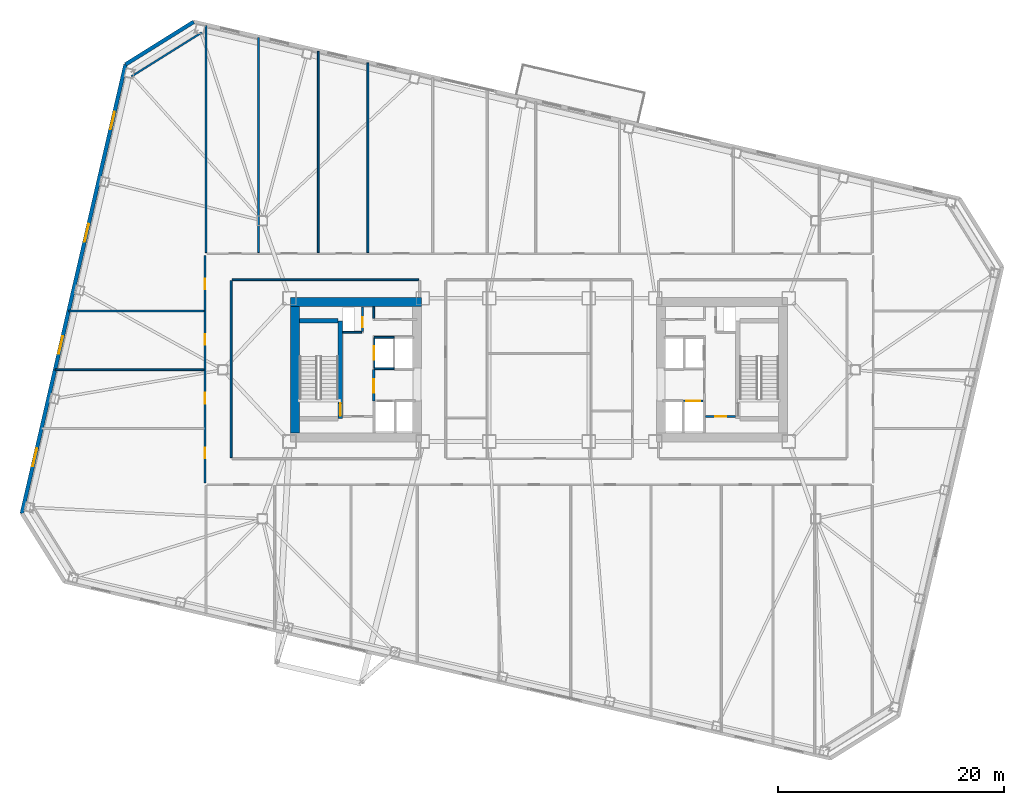
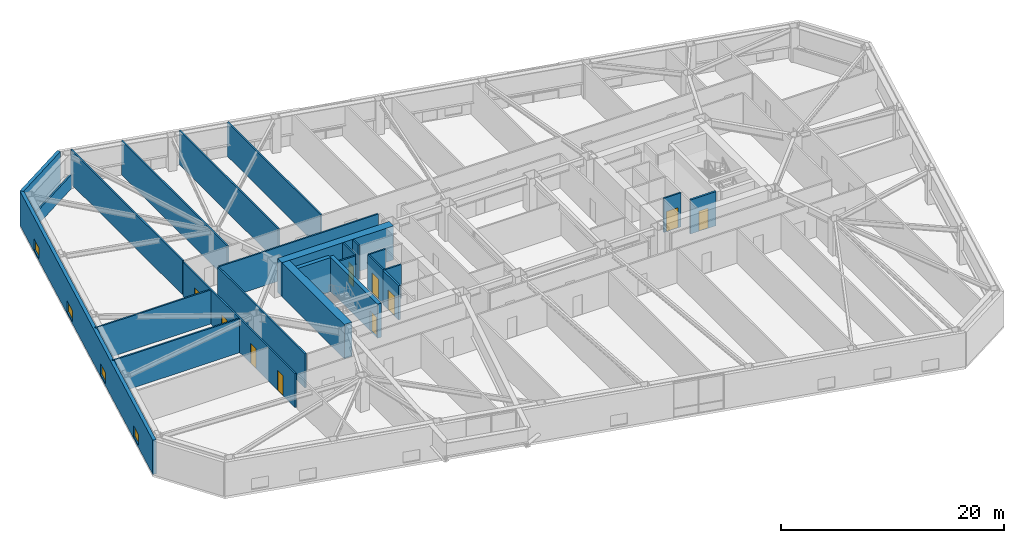
# One storey, part 11 of 20: 25 walls, 10 doors, 4 windows, 14 openings.
"""IFC4 building model written with IfcOpenShell, lengths in metres."""

from ifc_helpers import new_model, si_unit, direction, frame, frame_2d, origin, place, context, subcontext, project, spatial, rectangle, extrude, material, layer, layer_set, type_object, element, fill, save


model = new_model("IFC4")

# Units and contexts
model_context = context("Model", 3, precision=1e-05, world=origin(), true_north=direction((0.0, 1.0)))
body_context = subcontext(model_context, "Body", "Model", "MODEL_VIEW")
ifc_project = project(units=[si_unit("LENGTHUNIT", "METRE"), si_unit("AREAUNIT", "SQUARE_METRE"), si_unit("VOLUMEUNIT", "CUBIC_METRE"), si_unit("PLANEANGLEUNIT", "RADIAN"), si_unit("MASSUNIT", "GRAM", prefix="KILO")], contexts=[model_context])

# Site, building, storey
site_placement = place(None, origin())
site = spatial("IfcSite", under=ifc_project, at=site_placement, CompositionType="ELEMENT")
building_placement = place(site_placement, origin())
building = spatial("IfcBuilding", under=site, at=building_placement, Name="Tavrogorsk Clinical Tower", CompositionType="ELEMENT")
storey_placement = place(building_placement, frame((0.0, 0.0, 39.39990234375)))
storey = spatial("IfcBuildingStorey", under=building, at=storey_placement, Name="L07", CompositionType="ELEMENT", Elevation=39.39990234375)

# Wall, opening, door
ifc_material_1 = material(Name="Concrete B60", Category="concrete")
ifc_layer_1 = layer(ifc_material_1, 0.199951171875)
ifc_layer_set_1 = layer_set([ifc_layer_1], Name="Concrete B60")
wall_type_1 = type_object("IfcWallType", Name="CoreFireWall_200", PredefinedType="SOLIDWALL", material=ifc_layer_set_1)
wall_1_placement = place(storey_placement, frame((-14.639892578125, -2.780029296875, 0.0), z_axis=(0.0, 0.0, 1.0), x_axis=(0.0, 1.0, 0.0)))
wall_1 = element("IfcWall", 1, at=wall_1_placement, inside=storey, type_object=wall_type_1, Name="L07 Core West Firefighting Lobby Fire Wall", PredefinedType="SOLIDWALL", context=body_context, shape_type="SweptSolid", body=[
    extrude(rectangle(XDim=2.820068359375, YDim=0.199951171875, at=frame_2d((1.41015625, 0.0))), origin(), (0.0, 0.0, 1.0), 3.739990234375),
])
opening_1_placement = place(wall_1_placement, frame((0.72998046875, 0.0, 0.0)))
opening_1 = element("IfcOpeningElement", 2, at=opening_1_placement, cuts=wall_1, Name="Opening FD-01", PredefinedType="OPENING", context=body_context, shape_type="SweptSolid", body=[
    extrude(rectangle(XDim=1.199951171875, YDim=2.199951171875, at=frame_2d((0.60009765625, 1.10009765625))), frame((0.0, 0.10986328125, 0.0), z_axis=(0.0, -1.0, 0.0), x_axis=(1.0, 0.0, 0.0)), (0.0, 0.0, 1.0), 0.219970703125),
])
ifc_material_2 = material(Name="Galvanised steel fire-rated door assembly", Category="steel")
door_type_1 = type_object("IfcDoorType", Name="FireDoor_FD01_1200", OperationType="NOTDEFINED", PredefinedType="DOOR", material=ifc_material_2)
door_1_placement = place(opening_1_placement, origin())
door_1 = element("IfcDoor", 3, at=door_1_placement, inside=storey, type_object=door_type_1, Name="L07 Core West Firefighting Lobby Entry Door", OperationType="SINGLE_SWING_RIGHT", OverallHeight=2.199951171875, OverallWidth=1.199951171875, PredefinedType="DOOR", context=body_context, shape_type="SweptSolid", body=[
    extrude(rectangle(XDim=1.199951171875, YDim=2.199951171875, at=frame_2d((0.60009765625, 1.10009765625))), frame((0.0, 0.02490234375, 0.0), z_axis=(0.0, -1.0, 0.0), x_axis=(1.0, 0.0, 0.0)), (0.0, 0.0, 1.0), 0.050048828125),
])
fill(opening_1, door_1)

wall_2_placement = place(storey_placement, frame((14.719970703125, -4.139892578125, 0.0), z_axis=(0.0, 0.0, 1.0), x_axis=(1.0, 0.0, 0.0)))
wall_2 = element("IfcWall", 4, at=wall_2_placement, inside=storey, type_object=wall_type_1, Name="L07 Core East South Core Room Fire Wall", PredefinedType="SOLIDWALL", context=body_context, shape_type="SweptSolid", body=[
    extrude(rectangle(XDim=2.659912109375, YDim=0.199951171875, at=frame_2d((1.330078125, 0.0))), origin(), (0.0, 0.0, 1.0), 3.739990234375),
])
opening_2_placement = place(wall_2_placement, frame((0.8798828125, 0.0, 0.0)))
opening_2 = element("IfcOpeningElement", 5, at=opening_2_placement, cuts=wall_2, Name="Opening ID-02", PredefinedType="OPENING", context=body_context, shape_type="SweptSolid", body=[
    extrude(rectangle(XDim=0.949951171875, YDim=2.199951171875, at=frame_2d((0.47509765625, 1.10009765625))), frame((0.0, 0.10986328125, 0.0), z_axis=(0.0, -1.0, 0.0), x_axis=(1.0, 0.0, 0.0)), (0.0, 0.0, 1.0), 0.219970703125),
])
ifc_material_3 = material(Name="Laminated timber leaf on aluminium frame", Category="wood")
door_type_2 = type_object("IfcDoorType", Name="InteriorDoor_ID02_950", OperationType="NOTDEFINED", PredefinedType="DOOR", material=ifc_material_3)
door_2_placement = place(opening_2_placement, origin())
door_2 = element("IfcDoor", 6, at=door_2_placement, inside=storey, type_object=door_type_2, Name="L07 Core East South Core Room Door", OperationType="SINGLE_SWING_RIGHT", OverallHeight=2.199951171875, OverallWidth=0.949951171875, PredefinedType="DOOR", context=body_context, shape_type="SweptSolid", body=[
    extrude(rectangle(XDim=0.949951171875, YDim=2.199951171875, at=frame_2d((0.47509765625, 1.10009765625))), frame((0.0, 0.02490234375, 0.0), z_axis=(0.0, -1.0, 0.0), x_axis=(1.0, 0.0, 0.0)), (0.0, 0.0, 1.0), 0.050048828125),
])
fill(opening_2, door_2)

# Walls
ifc_material_4 = material(Name="Lightweight concrete blockwork B15", Category="masonry")
ifc_layer_2 = layer(ifc_material_4, 0.159912109375)
ifc_layer_set_2 = layer_set([ifc_layer_2], Name="Lightweight concrete blockwork B15")
wall_type_2 = type_object("IfcWallType", Name="PartitionWall_160", PredefinedType="PARTITIONING", material=ifc_layer_set_2)
wall_3_placement = place(storey_placement, frame((-14.639892578125, 4.544921875, 0.0), z_axis=(0.0, 0.0, 1.0), x_axis=(0.0, 1.0, 0.0)))
element("IfcWall", 7, at=wall_3_placement, inside=storey, type_object=wall_type_2, Name="L07 Core West Pneumatic Dispatch East Wall", PredefinedType="PARTITIONING", context=body_context, shape_type="SweptSolid", body=[
    extrude(rectangle(XDim=1.01513671875, YDim=0.159912109375, at=frame_2d((0.507568359375, 0.0))), origin(), (0.0, 0.0, 1.0), 3.739990234375),
])
wall_4_placement = place(storey_placement, frame((-29.859619140625, 29.8681640625, 0.0), z_axis=(0.0, 0.0, 1.0), x_axis=(-0.848043064089, -0.529927317139, 0.0)))
element("IfcWall", 8, at=wall_4_placement, inside=storey, type_object=wall_type_2, Name="L07 Corner Exoskeleton Brace Furring Wall 3", PredefinedType="PARTITIONING", context=body_context, shape_type="SweptSolid", body=[
    extrude(rectangle(XDim=7.353759765625, YDim=0.159912109375, at=frame_2d((3.6767578125, 0.0))), origin(), (0.0, 0.0, 1.0), 1.53515625),
])

# Wall, openings, doors
wall_5_placement = place(storey_placement, frame((-29.580078125, -10.014892578125, 0.0), z_axis=(0.0, 0.0, 1.0), x_axis=(0.0, 1.0, 0.0)))
wall_5 = element("IfcWall", 9, at=wall_5_placement, inside=storey, type_object=wall_type_2, Name="L07 Corridor Partition 01", PredefinedType="PARTITIONING", context=body_context, shape_type="SweptSolid", body=[
    extrude(rectangle(XDim=20.1298828125, YDim=0.159912109375, at=frame_2d((10.06494140625, 0.0))), origin(), (0.0, 0.0, 1.0), 3.739990234375),
])
opening_3_placement = place(wall_5_placement, frame((2.169189453125, 0.0, 0.0)))
opening_3 = element("IfcOpeningElement", 10, at=opening_3_placement, cuts=wall_5, Name="Opening ID-02", PredefinedType="OPENING", context=body_context, shape_type="SweptSolid", body=[
    extrude(rectangle(XDim=0.949951171875, YDim=2.199951171875, at=frame_2d((0.47509765625, 1.10009765625))), frame((0.0, 0.08984375, 0.0), z_axis=(0.0, -1.0, 0.0), x_axis=(1.0, 0.0, 0.0)), (0.0, 0.0, 1.0), 0.179931640625),
])
opening_4_placement = place(wall_5_placement, frame((7.02490234375, 0.0, 0.0)))
opening_4 = element("IfcOpeningElement", 11, at=opening_4_placement, cuts=wall_5, Name="Opening ID-02", PredefinedType="OPENING", context=body_context, shape_type="SweptSolid", body=[
    extrude(rectangle(XDim=0.949951171875, YDim=2.199951171875, at=frame_2d((0.47509765625, 1.10009765625))), frame((0.0, 0.08984375, 0.0), z_axis=(0.0, -1.0, 0.0), x_axis=(1.0, 0.0, 0.0)), (0.0, 0.0, 1.0), 0.179931640625),
])
opening_5_placement = place(wall_5_placement, frame((12.22509765625, 0.0, 0.0)))
opening_5 = element("IfcOpeningElement", 12, at=opening_5_placement, cuts=wall_5, Name="Opening ID-02", PredefinedType="OPENING", context=body_context, shape_type="SweptSolid", body=[
    extrude(rectangle(XDim=0.949951171875, YDim=2.199951171875, at=frame_2d((0.47509765625, 1.10009765625))), frame((0.0, 0.08984375, 0.0), z_axis=(0.0, -1.0, 0.0), x_axis=(1.0, 0.0, 0.0)), (0.0, 0.0, 1.0), 0.179931640625),
])
opening_6_placement = place(wall_5_placement, frame((17.130859375, 0.0, 0.0)))
opening_6 = element("IfcOpeningElement", 13, at=opening_6_placement, cuts=wall_5, Name="Opening ID-02", PredefinedType="OPENING", context=body_context, shape_type="SweptSolid", body=[
    extrude(rectangle(XDim=0.949951171875, YDim=2.199951171875, at=frame_2d((0.47509765625, 1.10009765625))), frame((0.0, 0.08984375, 0.0), z_axis=(0.0, -1.0, 0.0), x_axis=(1.0, 0.0, 0.0)), (0.0, 0.0, 1.0), 0.179931640625),
])
door_3_placement = place(opening_3_placement, origin())
door_3 = element("IfcDoor", 14, at=door_3_placement, inside=storey, type_object=door_type_2, Name="L07 W Solarium Day Room & Lounge 1 Door", OperationType="SINGLE_SWING_LEFT", OverallHeight=2.199951171875, OverallWidth=0.949951171875, PredefinedType="DOOR", context=body_context, shape_type="SweptSolid", body=[
    extrude(rectangle(XDim=0.949951171875, YDim=2.199951171875, at=frame_2d((0.47509765625, 1.10009765625))), frame((0.0, 0.02490234375, 0.0), z_axis=(0.0, -1.0, 0.0), x_axis=(1.0, 0.0, 0.0)), (0.0, 0.0, 1.0), 0.050048828125),
])
fill(opening_3, door_3)
door_4_placement = place(opening_4_placement, origin())
door_4 = element("IfcDoor", 15, at=door_4_placement, inside=storey, type_object=door_type_2, Name="L07 W Rehabilitation Therapy Suite 2 Door", OperationType="SINGLE_SWING_RIGHT", OverallHeight=2.199951171875, OverallWidth=0.949951171875, PredefinedType="DOOR", context=body_context, shape_type="SweptSolid", body=[
    extrude(rectangle(XDim=0.949951171875, YDim=2.199951171875, at=frame_2d((0.47509765625, 1.10009765625))), frame((0.0, 0.02490234375, 0.0), z_axis=(0.0, -1.0, 0.0), x_axis=(1.0, 0.0, 0.0)), (0.0, 0.0, 1.0), 0.050048828125),
])
fill(opening_4, door_4)
door_5_placement = place(opening_5_placement, origin())
door_5 = element("IfcDoor", 16, at=door_5_placement, inside=storey, type_object=door_type_2, Name="L07 W Sub-Acute Observation Suite 3 Door", OperationType="SINGLE_SWING_LEFT", OverallHeight=2.199951171875, OverallWidth=0.949951171875, PredefinedType="DOOR", context=body_context, shape_type="SweptSolid", body=[
    extrude(rectangle(XDim=0.949951171875, YDim=2.199951171875, at=frame_2d((0.47509765625, 1.10009765625))), frame((0.0, 0.02490234375, 0.0), z_axis=(0.0, -1.0, 0.0), x_axis=(1.0, 0.0, 0.0)), (0.0, 0.0, 1.0), 0.050048828125),
])
fill(opening_5, door_5)
door_6_placement = place(opening_6_placement, origin())
door_6 = element("IfcDoor", 17, at=door_6_placement, inside=storey, type_object=door_type_2, Name="L07 W Family Consultation Lounge 4 Door", OperationType="SINGLE_SWING_RIGHT", OverallHeight=2.199951171875, OverallWidth=0.949951171875, PredefinedType="DOOR", context=body_context, shape_type="SweptSolid", body=[
    extrude(rectangle(XDim=0.949951171875, YDim=2.199951171875, at=frame_2d((0.47509765625, 1.10009765625))), frame((0.0, 0.02490234375, 0.0), z_axis=(0.0, -1.0, 0.0), x_axis=(1.0, 0.0, 0.0)), (0.0, 0.0, 1.0), 0.050048828125),
])
fill(opening_6, door_6)

# Walls
wall_6_placement = place(storey_placement, frame((-10.6650390625, 7.969970703125, 0.0), z_axis=(0.0, 0.0, 1.0), x_axis=(-1.0, 0.0, 0.0)))
element("IfcWall", 18, at=wall_6_placement, inside=storey, type_object=wall_type_2, Name="L07 Corridor Partition 16", PredefinedType="PARTITIONING", context=body_context, shape_type="SweptSolid", body=[
    extrude(rectangle(XDim=16.52001953125, YDim=0.159912109375, at=frame_2d((8.260009765625, 0.0))), origin(), (0.0, 0.0, 1.0), 3.739990234375),
])
wall_7_placement = place(storey_placement, frame((-27.27001953125, 7.885009765625, 0.0), z_axis=(0.0, 0.0, 1.0), x_axis=(0.0, -1.0, 0.0)))
element("IfcWall", 19, at=wall_7_placement, inside=storey, type_object=wall_type_2, Name="L07 Corridor Partition 17", PredefinedType="PARTITIONING", context=body_context, shape_type="SweptSolid", body=[
    extrude(rectangle(XDim=15.669921875, YDim=0.159912109375, at=frame_2d((7.8349609375, 0.0))), origin(), (0.0, 0.0, 1.0), 3.739990234375),
])
wall_8_placement = place(storey_placement, frame((-29.5, 10.364990234375, 0.0), z_axis=(0.0, 0.0, 1.0), x_axis=(0.0, 1.0, 0.0)))
element("IfcWall", 20, at=wall_8_placement, inside=storey, type_object=wall_type_2, Name="L07 NW Wing Closure Partition", PredefinedType="PARTITIONING", context=body_context, shape_type="SweptSolid", body=[
    extrude(rectangle(XDim=20.11865234375, YDim=0.159912109375, at=frame_2d((10.059326171875, 0.0))), origin(), (0.0, 0.0, 1.0), 3.739990234375),
])
wall_9_placement = place(storey_placement, frame((-24.85009765625, 10.364990234375, 0.0), z_axis=(0.0, 0.0, 1.0), x_axis=(0.0, 1.0, 0.0)))
element("IfcWall", 21, at=wall_9_placement, inside=storey, type_object=wall_type_2, Name="L07 North Room Partition 1", PredefinedType="PARTITIONING", context=body_context, shape_type="SweptSolid", body=[
    extrude(rectangle(XDim=19.045166015625, YDim=0.159912109375, at=frame_2d((9.5224609375, 0.0))), origin(), (0.0, 0.0, 1.0), 3.739990234375),
])
wall_10_placement = place(storey_placement, frame((-15.159912109375, 10.364990234375, 0.0), z_axis=(0.0, 0.0, 1.0), x_axis=(0.0, 1.0, 0.0)))
element("IfcWall", 22, at=wall_10_placement, inside=storey, type_object=wall_type_2, Name="L07 North Room Partition 2", PredefinedType="PARTITIONING", context=body_context, shape_type="SweptSolid", body=[
    extrude(rectangle(XDim=16.80810546875, YDim=0.159912109375, at=frame_2d((8.404052734375, 0.0))), origin(), (0.0, 0.0, 1.0), 3.739990234375),
])
wall_11_placement = place(storey_placement, frame((-19.554931640625, 10.364990234375, 0.0), z_axis=(0.0, 0.0, 1.0), x_axis=(0.0, 1.0, 0.0)))
element("IfcWall", 23, at=wall_11_placement, inside=storey, type_object=wall_type_2, Name="L07 North Sub-Partition 2", PredefinedType="PARTITIONING", context=body_context, shape_type="SweptSolid", body=[
    extrude(rectangle(XDim=17.822509765625, YDim=0.159912109375, at=frame_2d((8.9111328125, 0.0))), origin(), (0.0, 0.0, 1.0), 3.739990234375),
])
wall_12_placement = place(storey_placement, frame((-42.841552734375, 0.0, 0.0), z_axis=(0.0, 0.0, 1.0), x_axis=(1.0, 0.0, 0.0)))
element("IfcWall", 24, at=wall_12_placement, inside=storey, type_object=wall_type_2, Name="L07 W Wing Divider 2", PredefinedType="PARTITIONING", context=body_context, shape_type="SweptSolid", body=[
    extrude(rectangle(XDim=13.176513671875, YDim=0.159912109375, at=frame_2d((6.58837890625, 0.0))), origin(), (0.0, 0.0, 1.0), 3.739990234375),
])
wall_13_placement = place(storey_placement, frame((-41.64111328125, 5.199951171875, 0.0), z_axis=(0.0, 0.0, 1.0), x_axis=(1.0, 0.0, 0.0)))
element("IfcWall", 25, at=wall_13_placement, inside=storey, type_object=wall_type_2, Name="L07 W Wing Divider 3", PredefinedType="PARTITIONING", context=body_context, shape_type="SweptSolid", body=[
    extrude(rectangle(XDim=11.97607421875, YDim=0.159912109375, at=frame_2d((5.988037109375, 0.0))), origin(), (0.0, 0.0, 1.0), 3.739990234375),
])

# Wall, openings, windows
ifc_material_5 = material(Name="Precast concrete B45 with limestone cladding", Category="masonry")
ifc_layer_3 = layer(ifc_material_5, 0.340087890625)
ifc_layer_set_3 = layer_set([ifc_layer_3], Name="Precast concrete B45 with limestone cladding")
wall_type_3 = type_object("IfcWallType", Name="PrecastLimestoneWall_340", PredefinedType="STANDARD", material=ifc_layer_set_3)
wall_14_placement = place(storey_placement, frame((-36.6201171875, 27.036865234375, 0.0), z_axis=(0.0, 0.0, 1.0), x_axis=(-0.224951280646, -0.974370012539, 0.0)))
wall_14 = element("IfcWall", 26, at=wall_14_placement, inside=storey, type_object=wall_type_3, Name="L07 W Pleated Limestone Wing Wall", PredefinedType="STANDARD", context=body_context, shape_type="SweptSolid", body=[
    extrude(rectangle(XDim=40.7998046875, YDim=0.340087890625, at=frame_2d((20.39990234375, 0.0))), origin(), (0.0, 0.0, 1.0), 3.739990234375),
])
opening_7_placement = place(wall_14_placement, frame((4.300048828125, 0.0, 0.219970703125)))
opening_7 = element("IfcOpeningElement", 27, at=opening_7_placement, cuts=wall_14, Name="Opening WN-09", PredefinedType="OPENING", context=body_context, shape_type="SweptSolid", body=[
    extrude(rectangle(XDim=1.60009765625, YDim=1.199951171875, at=frame_2d((0.800048828125, 0.60009765625))), frame((0.0, 0.179931640625, 0.0), z_axis=(0.0, -1.0, 0.0), x_axis=(1.0, 0.0, 0.0)), (0.0, 0.0, 1.0), 0.360107421875),
])
opening_8_placement = place(wall_14_placement, frame((14.5, 0.0, 0.219970703125)))
opening_8 = element("IfcOpeningElement", 28, at=opening_8_placement, cuts=wall_14, Name="Opening WN-09", PredefinedType="OPENING", context=body_context, shape_type="SweptSolid", body=[
    extrude(rectangle(XDim=1.60009765625, YDim=1.199951171875, at=frame_2d((0.800048828125, 0.60009765625))), frame((0.0, 0.179931640625, 0.0), z_axis=(0.0, -1.0, 0.0), x_axis=(1.0, 0.0, 0.0)), (0.0, 0.0, 1.0), 0.360107421875),
])
opening_9_placement = place(wall_14_placement, frame((24.699951171875, 0.0, 0.219970703125)))
opening_9 = element("IfcOpeningElement", 29, at=opening_9_placement, cuts=wall_14, Name="Opening WN-09", PredefinedType="OPENING", context=body_context, shape_type="SweptSolid", body=[
    extrude(rectangle(XDim=1.60009765625, YDim=1.199951171875, at=frame_2d((0.800048828125, 0.60009765625))), frame((0.0, 0.179931640625, 0.0), z_axis=(0.0, -1.0, 0.0), x_axis=(1.0, 0.0, 0.0)), (0.0, 0.0, 1.0), 0.360107421875),
])
opening_10_placement = place(wall_14_placement, frame((34.89990234375, 0.0, 0.219970703125)))
opening_10 = element("IfcOpeningElement", 30, at=opening_10_placement, cuts=wall_14, Name="Opening WN-09", PredefinedType="OPENING", context=body_context, shape_type="SweptSolid", body=[
    extrude(rectangle(XDim=1.60009765625, YDim=1.199951171875, at=frame_2d((0.800048828125, 0.60009765625))), frame((0.0, 0.179931640625, 0.0), z_axis=(0.0, -1.0, 0.0), x_axis=(1.0, 0.0, 0.0)), (0.0, 0.0, 1.0), 0.360107421875),
])
ifc_material_6 = material(Name="Thermally broken aluminium frame and triple IGU", Category="aluminium")
window_type = type_object("IfcWindowType", Name="LowHeadTransWin_1600x1200", PartitioningType="DOUBLE_PANEL_VERTICAL", PredefinedType="WINDOW", material=ifc_material_6)
window_1_placement = place(opening_7_placement, origin())
window_1 = element("IfcWindow", 31, at=window_1_placement, inside=storey, type_object=window_type, Name="L07 W Pleat Slot Window 1", OverallHeight=1.199951171875, OverallWidth=1.60009765625, PartitioningType="SINGLE_PANEL", PredefinedType="WINDOW", context=body_context, shape_type="SweptSolid", body=[
    extrude(rectangle(XDim=1.60009765625, YDim=1.199951171875, at=frame_2d((0.800048828125, 0.60009765625))), frame((0.0, 0.030029296875, 0.0), z_axis=(0.0, -1.0, 0.0), x_axis=(1.0, 0.0, 0.0)), (0.0, 0.0, 1.0), 0.06005859375),
])
fill(opening_7, window_1)
window_2_placement = place(opening_8_placement, origin())
window_2 = element("IfcWindow", 32, at=window_2_placement, inside=storey, type_object=window_type, Name="L07 W Pleat Slot Window 2", OverallHeight=1.199951171875, OverallWidth=1.60009765625, PartitioningType="SINGLE_PANEL", PredefinedType="WINDOW", context=body_context, shape_type="SweptSolid", body=[
    extrude(rectangle(XDim=1.60009765625, YDim=1.199951171875, at=frame_2d((0.800048828125, 0.60009765625))), frame((0.0, 0.030029296875, 0.0), z_axis=(0.0, -1.0, 0.0), x_axis=(1.0, 0.0, 0.0)), (0.0, 0.0, 1.0), 0.06005859375),
])
fill(opening_8, window_2)
window_3_placement = place(opening_9_placement, origin())
window_3 = element("IfcWindow", 33, at=window_3_placement, inside=storey, type_object=window_type, Name="L07 W Pleat Slot Window 3", OverallHeight=1.199951171875, OverallWidth=1.60009765625, PartitioningType="SINGLE_PANEL", PredefinedType="WINDOW", context=body_context, shape_type="SweptSolid", body=[
    extrude(rectangle(XDim=1.60009765625, YDim=1.199951171875, at=frame_2d((0.800048828125, 0.60009765625))), frame((0.0, 0.030029296875, 0.0), z_axis=(0.0, -1.0, 0.0), x_axis=(1.0, 0.0, 0.0)), (0.0, 0.0, 1.0), 0.06005859375),
])
fill(opening_9, window_3)
window_4_placement = place(opening_10_placement, origin())
window_4 = element("IfcWindow", 34, at=window_4_placement, inside=storey, type_object=window_type, Name="L07 W Pleat Slot Window 4", OverallHeight=1.199951171875, OverallWidth=1.60009765625, PartitioningType="SINGLE_PANEL", PredefinedType="WINDOW", context=body_context, shape_type="SweptSolid", body=[
    extrude(rectangle(XDim=1.60009765625, YDim=1.199951171875, at=frame_2d((0.800048828125, 0.60009765625))), frame((0.0, 0.030029296875, 0.0), z_axis=(0.0, -1.0, 0.0), x_axis=(1.0, 0.0, 0.0)), (0.0, 0.0, 1.0), 0.06005859375),
])
fill(opening_10, window_4)

# Wall
wall_15_placement = place(storey_placement, frame((-30.587646484375, 30.806640625, 0.0), z_axis=(0.0, 0.0, 1.0), x_axis=(-0.848031080615, -0.529946493819, 0.0)))
element("IfcWall", 35, at=wall_15_placement, inside=storey, type_object=wall_type_3, Name="L07 Chamfered Corner Wall 3", PredefinedType="STANDARD", context=body_context, shape_type="SweptSolid", body=[
    extrude(rectangle(XDim=7.113525390625, YDim=0.340087890625, at=frame_2d((3.556640625, 0.0))), origin(), (0.0, 0.0, 1.0), 3.739990234375),
])

# Wall, opening, door
ifc_material_7 = material(Name="Lightweight concrete blockwork B25", Category="masonry")
ifc_layer_4 = layer(ifc_material_7, 0.159912109375)
ifc_layer_set_4 = layer_set([ifc_layer_4], Name="Lightweight concrete blockwork B25")
wall_type_4 = type_object("IfcWallType", Name="ShaftWall_160", PredefinedType="PARTITIONING", material=ifc_layer_set_4)
wall_16_placement = place(storey_placement, frame((-14.60009765625, 0.1201171875, 0.0), z_axis=(0.0, 0.0, 1.0), x_axis=(0.0, 1.0, 0.0)))
wall_16 = element("IfcWall", 36, at=wall_16_placement, inside=storey, type_object=wall_type_4, Name="L07 FFL-W Firefighting Lift Front Wall", PredefinedType="PARTITIONING", context=body_context, shape_type="SweptSolid", body=[
    extrude(rectangle(XDim=2.739990234375, YDim=0.159912109375, at=frame_2d((1.3701171875, 0.0))), origin(), (0.0, 0.0, 1.0), 3.739990234375),
])
opening_11_placement = place(wall_16_placement, frame((0.77001953125, 0.0, 0.0)))
opening_11 = element("IfcOpeningElement", 37, at=opening_11_placement, cuts=wall_16, Name="Opening LD", PredefinedType="OPENING", context=body_context, shape_type="SweptSolid", body=[
    extrude(rectangle(XDim=1.199951171875, YDim=2.199951171875, at=frame_2d((0.60009765625, 1.10009765625))), frame((0.0, 0.08984375, 0.0), z_axis=(0.0, -1.0, 0.0), x_axis=(1.0, 0.0, 0.0)), (0.0, 0.0, 1.0), 0.179931640625),
])
ifc_material_8 = material(Name="Brushed stainless steel AISI 304 sliding doors", Category="steel")
door_type_3 = type_object("IfcDoorType", Name="LiftLandingDoor_LD_1200", OperationType="SLIDING_TO_LEFT", PredefinedType="DOOR", material=ifc_material_8)
door_7_placement = place(opening_11_placement, origin())
door_7 = element("IfcDoor", 38, at=door_7_placement, inside=storey, type_object=door_type_3, Name="L07 FFL-W Sliding Lift Landing Door", OperationType="SLIDING_TO_LEFT", OverallHeight=2.199951171875, OverallWidth=1.199951171875, PredefinedType="DOOR", context=body_context, shape_type="SweptSolid", body=[
    extrude(rectangle(XDim=1.199951171875, YDim=2.199951171875, at=frame_2d((0.60009765625, 1.10009765625))), frame((0.0, 0.02490234375, 0.0), z_axis=(0.0, -1.0, 0.0), x_axis=(1.0, 0.0, 0.0)), (0.0, 0.0, 1.0), 0.050048828125),
])
fill(opening_11, door_7)

# Walls
for number, where, z_axis, x_axis, name in (
    (39, (-14.60009765625, 0.10009765625, 0.0), (0.0, 0.0, 1.0), (1.0, 0.0, 0.0), "L07 FFL-W Shaft South Wall"),
    (40, (-14.60009765625, 2.8798828125, 0.0), (0.0, 0.0, 1.0), (1.0, 0.0, 0.0), "L07 FFL-W Shaft North Wall"),
):
    element("IfcWall", number, at=place(storey_placement, frame(where, z_axis=z_axis, x_axis=x_axis)), inside=storey, type_object=wall_type_4, Name=name, PredefinedType="PARTITIONING", context=body_context, shape_type="SweptSolid", body=[
        extrude(rectangle(XDim=1.760009765625, YDim=0.159912109375, at=frame_2d((0.8798828125, 0.0))), origin(), (0.0, 0.0, 1.0), 3.739990234375),
    ])

# Wall, opening, door
wall_17_placement = place(storey_placement, frame((12.77001953125, -2.75, 0.0), z_axis=(0.0, 0.0, 1.0), x_axis=(1.0, 0.0, 0.0)))
wall_17 = element("IfcWall", 41, at=wall_17_placement, inside=storey, type_object=wall_type_4, Name="L07 LP-L2 Lift Shaft Portal Wall", PredefinedType="PARTITIONING", context=body_context, shape_type="SweptSolid", body=[
    extrude(rectangle(XDim=1.760009765625, YDim=0.159912109375, at=frame_2d((0.8798828125, 0.0))), origin(), (0.0, 0.0, 1.0), 3.739990234375),
])
opening_12_placement = place(wall_17_placement, frame((0.280029296875, 0.0, 0.0)))
opening_12 = element("IfcOpeningElement", 42, at=opening_12_placement, cuts=wall_17, Name="Opening LD", PredefinedType="OPENING", context=body_context, shape_type="SweptSolid", body=[
    extrude(rectangle(XDim=1.199951171875, YDim=2.199951171875, at=frame_2d((0.60009765625, 1.10009765625))), frame((0.0, 0.08984375, 0.0), z_axis=(0.0, -1.0, 0.0), x_axis=(1.0, 0.0, 0.0)), (0.0, 0.0, 1.0), 0.179931640625),
])
door_8_placement = place(opening_12_placement, origin())
door_8 = element("IfcDoor", 43, at=door_8_placement, inside=storey, type_object=door_type_3, Name="L07 LP-L2 Sliding Lift Landing Door", OperationType="SLIDING_TO_LEFT", OverallHeight=2.199951171875, OverallWidth=1.199951171875, PredefinedType="DOOR", context=body_context, shape_type="SweptSolid", body=[
    extrude(rectangle(XDim=1.199951171875, YDim=2.199951171875, at=frame_2d((0.60009765625, 1.10009765625))), frame((0.0, 0.02490234375, 0.0), z_axis=(0.0, -1.0, 0.0), x_axis=(1.0, 0.0, 0.0)), (0.0, 0.0, 1.0), 0.050048828125),
])
fill(opening_12, door_8)

wall_18_placement = place(storey_placement, frame((-15.639892578125, 3.405029296875, 0.0), z_axis=(0.0, 0.0, 1.0), x_axis=(0.0, 1.0, 0.0)))
wall_18 = element("IfcWall", 44, at=wall_18_placement, inside=storey, type_object=wall_type_4, Name="L07 Core West Riser West Wall", PredefinedType="PARTITIONING", context=body_context, shape_type="SweptSolid", body=[
    extrude(rectangle(XDim=2.155029296875, YDim=0.159912109375, at=frame_2d((1.07763671875, 0.0))), origin(), (0.0, 0.0, 1.0), 3.739990234375),
])
opening_13_placement = place(wall_18_placement, frame((0.35009765625, 0.0, 0.0)))
opening_13 = element("IfcOpeningElement", 45, at=opening_13_placement, cuts=wall_18, Name="Opening FD-02", PredefinedType="OPENING", context=body_context, shape_type="SweptSolid", body=[
    extrude(rectangle(XDim=0.89990234375, YDim=2.199951171875, at=frame_2d((0.449951171875, 1.10009765625))), frame((0.0, 0.08984375, 0.0), z_axis=(0.0, -1.0, 0.0), x_axis=(1.0, 0.0, 0.0)), (0.0, 0.0, 1.0), 0.179931640625),
])
ifc_material_9 = material(Name="Galvanised steel fire-rated door assembly", Category="steel")
door_type_4 = type_object("IfcDoorType", Name="FireDoor_FD02_900", OperationType="NOTDEFINED", PredefinedType="DOOR", material=ifc_material_9)
door_9_placement = place(opening_13_placement, origin())
door_9 = element("IfcDoor", 46, at=door_9_placement, inside=storey, type_object=door_type_4, Name="L07 Core West Electrical Riser Access Door", OperationType="SINGLE_SWING_LEFT", OverallHeight=2.199951171875, OverallWidth=0.89990234375, PredefinedType="DOOR", context=body_context, shape_type="SweptSolid", body=[
    extrude(rectangle(XDim=0.89990234375, YDim=2.199951171875, at=frame_2d((0.449951171875, 1.10009765625))), frame((0.0, 0.02490234375, 0.0), z_axis=(0.0, -1.0, 0.0), x_axis=(1.0, 0.0, 0.0)), (0.0, 0.0, 1.0), 0.050048828125),
])
fill(opening_13, door_9)

# Wall
wall_19_placement = place(storey_placement, frame((-17.3798828125, 3.320068359375, 0.0), z_axis=(0.0, 0.0, 1.0), x_axis=(1.0, 0.0, 0.0)))
element("IfcWall", 47, at=wall_19_placement, inside=storey, type_object=wall_type_4, Name="L07 Core West Riser South Wall", PredefinedType="PARTITIONING", context=body_context, shape_type="SweptSolid", body=[
    extrude(rectangle(XDim=1.65478515625, YDim=0.159912109375, at=frame_2d((0.827392578125, 0.0))), origin(), (0.0, 0.0, 1.0), 3.739990234375),
])

# Wall, opening, door
ifc_material_10 = material(Name="Concrete B80", Category="concrete")
ifc_layer_5 = layer(ifc_material_10, 0.39990234375)
ifc_layer_set_5 = layer_set([ifc_layer_5], Name="Concrete B80")
wall_type_5 = type_object("IfcWallType", Name="ShearWall_400", PredefinedType="SHEAR", material=ifc_layer_set_5)
wall_20_placement = place(storey_placement, frame((-17.60009765625, -4.324951171875, 0.0), z_axis=(0.0, 0.0, 1.0), x_axis=(0.0, 1.0, 0.0)))
wall_20 = element("IfcWall", 48, at=wall_20_placement, inside=storey, type_object=wall_type_5, Name="L07 Core West Stair Shaft Inner Shear Wall", PredefinedType="SHEAR", context=body_context, shape_type="SweptSolid", body=[
    extrude(rectangle(XDim=8.64990234375, YDim=0.39990234375, at=frame_2d((4.324951171875, 0.0))), origin(), (0.0, 0.0, 1.0), 3.739990234375),
])
opening_14_placement = place(wall_20_placement, frame((0.25, 0.0, 0.0)))
opening_14 = element("IfcOpeningElement", 49, at=opening_14_placement, cuts=wall_20, Name="Opening SD-01", PredefinedType="OPENING", context=body_context, shape_type="SweptSolid", body=[
    extrude(rectangle(XDim=1.10009765625, YDim=2.199951171875, at=frame_2d((0.550048828125, 1.10009765625))), frame((0.0, 0.2099609375, 0.0), z_axis=(0.0, -1.0, 0.0), x_axis=(1.0, 0.0, 0.0)), (0.0, 0.0, 1.0), 0.419921875),
])
ifc_material_11 = material(Name="Galvanised steel smoke-tight fire door assembly", Category="steel")
door_type_5 = type_object("IfcDoorType", Name="StairFireDoor_SD01_1100", OperationType="NOTDEFINED", PredefinedType="DOOR", material=ifc_material_11)
door_10_placement = place(opening_14_placement, origin())
door_10 = element("IfcDoor", 50, at=door_10_placement, inside=storey, type_object=door_type_5, Name="L07 ST-W Exit Stair Door", OperationType="SINGLE_SWING_RIGHT", OverallHeight=2.199951171875, OverallWidth=1.10009765625, PredefinedType="DOOR", context=body_context, shape_type="SweptSolid", body=[
    extrude(rectangle(XDim=1.10009765625, YDim=2.199951171875, at=frame_2d((0.550048828125, 1.10009765625))), frame((0.0, 0.02490234375, 0.0), z_axis=(0.0, -1.0, 0.0), x_axis=(1.0, 0.0, 0.0)), (0.0, 0.0, 1.0), 0.050048828125),
])
fill(opening_14, door_10)

# Walls
wall_21_placement = place(storey_placement, frame((-21.199951171875, 4.324951171875, 0.0), z_axis=(0.0, 0.0, 1.0), x_axis=(1.0, 0.0, 0.0)))
element("IfcWall", 51, at=wall_21_placement, inside=storey, type_object=wall_type_5, Name="L07 Core West Stair Shaft North Shear Wall", PredefinedType="SHEAR", context=body_context, shape_type="SweptSolid", body=[
    extrude(rectangle(XDim=3.39990234375, YDim=0.39990234375, at=frame_2d((1.699951171875, 0.0))), origin(), (0.0, 0.0, 1.0), 3.739990234375),
])
ifc_material_12 = material(Name="Concrete B80", Category="concrete")
ifc_layer_6 = layer(ifc_material_12, 0.800048828125)
ifc_layer_set_6 = layer_set([ifc_layer_6], Name="Concrete B80")
wall_type_6 = type_object("IfcWallType", Name="ShearWall_800", PredefinedType="SHEAR", material=ifc_layer_set_6)
wall_22_placement = place(storey_placement, frame((-22.0, 6.0, 0.0), z_axis=(0.0, 0.0, 1.0), x_axis=(1.0, 0.0, 0.0)))
element("IfcWall", 52, at=wall_22_placement, inside=storey, type_object=wall_type_6, Name="L07 Core West North Shear Wall", PredefinedType="SHEAR", context=body_context, shape_type="SweptSolid", body=[
    extrude(rectangle(XDim=11.60009765625, YDim=0.800048828125, at=frame_2d((5.800048828125, 0.0))), origin(), (0.0, 0.0, 1.0), 3.739990234375),
])
wall_23_placement = place(storey_placement, frame((-21.60009765625, -5.60009765625, 0.0), z_axis=(0.0, 0.0, 1.0), x_axis=(0.0, 1.0, 0.0)))
element("IfcWall", 53, at=wall_23_placement, inside=storey, type_object=wall_type_6, Name="L07 Core West End Shear Wall", PredefinedType="SHEAR", context=body_context, shape_type="SweptSolid", body=[
    extrude(rectangle(XDim=11.2001953125, YDim=0.800048828125, at=frame_2d((5.60009765625, 0.0))), origin(), (0.0, 0.0, 1.0), 3.739990234375),
])

save(model, "model.ifc")
